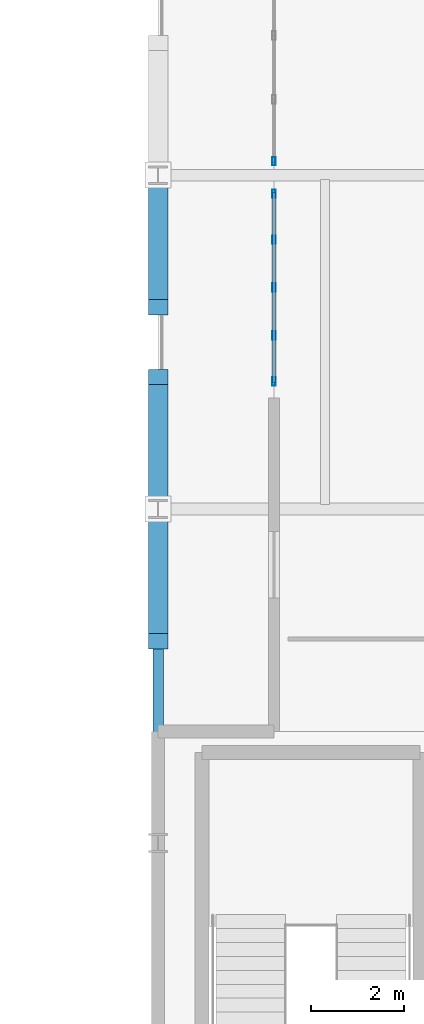
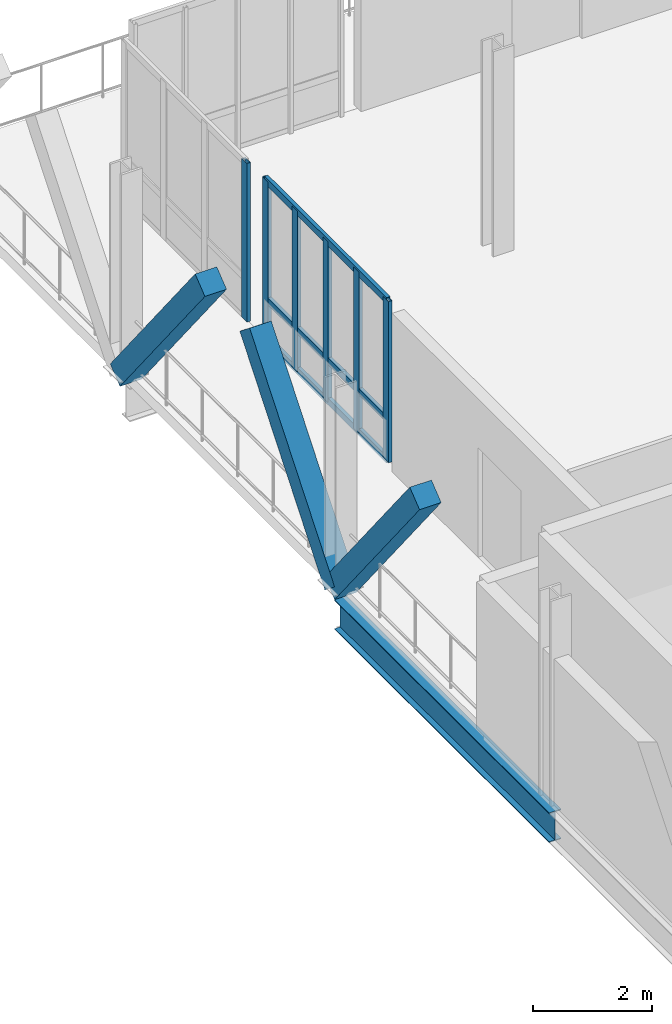
# One storey, part 34 of 102: 12 members, 1 beam, 2 elements without a shape of their own.
"""IFC4 building model written with IfcOpenShell, lengths in metres."""

from ifc_helpers import new_model, si_unit, direction, frame, origin, origin_2d, place, context, subcontext, project, spatial, rectangle, hollow_rectangle, i_section, extrude, material, material_profile, profile_set, type_object, element, aggregate, save


model = new_model("IFC4")

# Units and contexts
model_context = context("Model", 3, precision=1e-05, world=origin(), true_north=direction((0.0, 1.0)))
body_context = subcontext(model_context, "Body", "Model", "MODEL_VIEW")
ifc_project = project(units=[si_unit("LENGTHUNIT", "METRE"), si_unit("AREAUNIT", "SQUARE_METRE"), si_unit("VOLUMEUNIT", "CUBIC_METRE"), si_unit("PLANEANGLEUNIT", "RADIAN"), si_unit("MASSUNIT", "GRAM", prefix="KILO")], contexts=[model_context])

# Site, building, storey
site_placement = place(None, origin())
site = spatial("IfcSite", under=ifc_project, at=site_placement, CompositionType="ELEMENT")
building_placement = place(site_placement, origin())
building = spatial("IfcBuilding", under=site, at=building_placement, Name="Yarey Park Central Fire Station", CompositionType="ELEMENT")
storey_placement = place(building_placement, frame((0.0, 0.0, 6.0)))
storey = spatial("IfcBuildingStorey", under=building, at=storey_placement, Name="L02", CompositionType="ELEMENT", Elevation=6.0)

# Curtain wall, members
ifc_material_1 = material(Name="Anodized Aluminium Frame", Category="aluminium")
curtain_wall_type = type_object("IfcCurtainWallType", Name="ENV_CW_V3_GALW", PredefinedType="NOTDEFINED", material=ifc_material_1)
curtain_wall_1_placement = place(storey_placement, origin())
curtain_wall_1 = element("IfcCurtainWall", 1, at=curtain_wall_1_placement, inside=storey, type_object=curtain_wall_type, Name="CW_L02_V3_W_035", PredefinedType="NOTDEFINED")
ifc_material_profile_1 = material_profile(ifc_material_1, hollow_rectangle(XDim=0.070068359375, YDim=0.179931640625, WallThickness=0.00390625, at=origin_2d()), Name="ALU 180x70x4")
ifc_profile_set_1 = profile_set([ifc_material_profile_1], Name="Anodized Aluminium Frame")
member_type_1 = type_object("IfcMemberType", Name="ENV_CW_MULLION", PredefinedType="MULLION", material=ifc_profile_set_1)
member_1_placement = place(storey_placement, frame((31.300048828125, 74.75, 0.0), z_axis=(0.0, 0.0, 1.0), x_axis=(1.0, 0.0, 0.0)))
member_1 = element("IfcMember", 2, at=member_1_placement, type_object=member_type_1, Name="CW_L02_V3_W_035_MUL1", PredefinedType="MULLION", context=body_context, shape_type="SweptSolid", body=[
    extrude(hollow_rectangle(XDim=0.070068359375, YDim=0.179931640625, WallThickness=0.00390625, at=origin_2d()), origin(), (0.0, 0.0, 1.0), 3.300048828125),
])
member_2_placement = place(storey_placement, frame((31.300048828125, 75.742431640625, 0.0), z_axis=(0.0, 0.0, 1.0), x_axis=(1.0, 0.0, 0.0)))
member_2 = element("IfcMember", 3, at=member_2_placement, type_object=member_type_1, Name="CW_L02_V3_W_035_MUL2", PredefinedType="MULLION", context=body_context, shape_type="SweptSolid", body=[
    extrude(hollow_rectangle(XDim=0.070068359375, YDim=0.179931640625, WallThickness=0.00390625, at=origin_2d()), origin(), (0.0, 0.0, 1.0), 3.300048828125),
])
member_3_placement = place(storey_placement, frame((31.300048828125, 76.77490234375, 0.0), z_axis=(0.0, 0.0, 1.0), x_axis=(1.0, 0.0, 0.0)))
member_3 = element("IfcMember", 4, at=member_3_placement, type_object=member_type_1, Name="CW_L02_V3_W_035_MUL3", PredefinedType="MULLION", context=body_context, shape_type="SweptSolid", body=[
    extrude(hollow_rectangle(XDim=0.070068359375, YDim=0.179931640625, WallThickness=0.00390625, at=origin_2d()), origin(), (0.0, 0.0, 1.0), 3.300048828125),
])
member_4_placement = place(storey_placement, frame((31.300048828125, 77.8076171875, 0.0), z_axis=(0.0, 0.0, 1.0), x_axis=(1.0, 0.0, 0.0)))
member_4 = element("IfcMember", 5, at=member_4_placement, type_object=member_type_1, Name="CW_L02_V3_W_035_MUL4", PredefinedType="MULLION", context=body_context, shape_type="SweptSolid", body=[
    extrude(hollow_rectangle(XDim=0.070068359375, YDim=0.179931640625, WallThickness=0.00390625, at=origin_2d()), origin(), (0.0, 0.0, 1.0), 3.300048828125),
])
member_5_placement = place(storey_placement, frame((31.300048828125, 78.800048828125, 0.0), z_axis=(0.0, 0.0, 1.0), x_axis=(1.0, 0.0, 0.0)))
member_5 = element("IfcMember", 6, at=member_5_placement, type_object=member_type_1, Name="CW_L02_V3_W_035_MUL5", PredefinedType="MULLION", context=body_context, shape_type="SweptSolid", body=[
    extrude(hollow_rectangle(XDim=0.070068359375, YDim=0.179931640625, WallThickness=0.00390625, at=origin_2d()), origin(), (0.0, 0.0, 1.0), 3.300048828125),
])

# Curtain wall, member
curtain_wall_2_placement = place(storey_placement, origin())
curtain_wall_2 = element("IfcCurtainWall", 7, at=curtain_wall_2_placement, inside=storey, type_object=curtain_wall_type, Name="CW_L02_V3_W_036", PredefinedType="NOTDEFINED")
member_6_placement = place(storey_placement, frame((31.300048828125, 79.5, 0.0), z_axis=(0.0, 0.0, 1.0), x_axis=(1.0, 0.0, 0.0)))
member_6 = element("IfcMember", 8, at=member_6_placement, type_object=member_type_1, Name="CW_L02_V3_W_036_MUL1", PredefinedType="MULLION", context=body_context, shape_type="SweptSolid", body=[
    extrude(hollow_rectangle(XDim=0.070068359375, YDim=0.179931640625, WallThickness=0.00390625, at=origin_2d()), origin(), (0.0, 0.0, 1.0), 3.2470703125),
])
aggregate(curtain_wall_2, [member_6])

# Member
ifc_material_profile_2 = material_profile(ifc_material_1, hollow_rectangle(XDim=0.070068359375, YDim=0.139892578125, WallThickness=0.00390625, at=origin_2d()), Name="ALU 140x70x4")
ifc_profile_set_2 = profile_set([ifc_material_profile_2], Name="Anodized Aluminium Frame")
member_type_2 = type_object("IfcMemberType", Name="ENV_CW_TRANSOM", PredefinedType="USERDEFINED", material=ifc_profile_set_2)
member_7_placement = place(storey_placement, frame((31.300048828125, 74.72509765625, 0.02490234375), z_axis=(0.0, 1.0, 0.0), x_axis=(-1.0, 0.0, 0.0)))
member_7 = element("IfcMember", 9, at=member_7_placement, type_object=member_type_2, Name="CW_L02_V3_W_035_TRN1", ObjectType="TRANSOM", PredefinedType="USERDEFINED", context=body_context, shape_type="SweptSolid", body=[
    extrude(hollow_rectangle(XDim=0.070068359375, YDim=0.139892578125, WallThickness=0.00390625, at=origin_2d()), origin(), (0.0, 0.0, 1.0), 4.099853515625),
])

member_8_placement = place(storey_placement, frame((31.300048828125, 74.72509765625, 0.85009765625), z_axis=(0.0, 1.0, 0.0), x_axis=(-1.0, 0.0, 0.0)))
member_8 = element("IfcMember", 10, at=member_8_placement, type_object=member_type_2, Name="CW_L02_V3_W_035_TRN2", ObjectType="TRANSOM", PredefinedType="USERDEFINED", context=body_context, shape_type="SweptSolid", body=[
    extrude(hollow_rectangle(XDim=0.070068359375, YDim=0.139892578125, WallThickness=0.00390625, at=origin_2d()), origin(), (0.0, 0.0, 1.0), 4.099853515625),
])

member_9_placement = place(storey_placement, frame((31.300048828125, 74.72509765625, 3.27490234375), z_axis=(0.0, 1.0, 0.0), x_axis=(-1.0, 0.0, 0.0)))
member_9 = element("IfcMember", 11, at=member_9_placement, type_object=member_type_2, Name="CW_L02_V3_W_035_TRN3", ObjectType="TRANSOM", PredefinedType="USERDEFINED", context=body_context, shape_type="SweptSolid", body=[
    extrude(hollow_rectangle(XDim=0.070068359375, YDim=0.139892578125, WallThickness=0.00390625, at=origin_2d()), origin(), (0.0, 0.0, 1.0), 4.099853515625),
])

aggregate(curtain_wall_1, [member_1, member_2, member_3, member_4, member_5, member_7, member_8, member_9])

# Beam
ifc_material_2 = material(Name="Steel ASTM A992 Gr. 50", Category="steel")
ifc_material_profile_3 = material_profile(ifc_material_2, i_section(OverallWidth=0.22900390625, OverallDepth=0.612060546875, WebThickness=0.011962890625, FlangeThickness=0.01953125, at=origin_2d()), Name="W610x125")
ifc_profile_set_3 = profile_set([ifc_material_profile_3], Name="Steel ASTM A992 Gr. 50")
beam_type = type_object("IfcBeamType", Name="STR_BM_W610", PredefinedType="BEAM", material=ifc_profile_set_3)
beam_placement = place(storey_placement, frame((28.800048828125, 64.800048828125, -0.591064453125), z_axis=(0.0, 1.0, 0.0), x_axis=(-1.0, 0.0, 0.0)))
element("IfcBeam", 12, at=beam_placement, inside=storey, type_object=beam_type, Name="BMY L02 X288 Y648", PredefinedType="BEAM", context=body_context, shape_type="SweptSolid", body=[
    extrude(i_section(OverallWidth=0.22900390625, OverallDepth=0.612060546875, WebThickness=0.011962890625, FlangeThickness=0.01953125, at=origin_2d()), origin(), (0.0, 0.0, 1.0), 7.199951171875),
])

# Members
ifc_material_3 = material(Name="Glulam GL28h", Category="wood")
ifc_material_profile_4 = material_profile(ifc_material_3, rectangle(XDim=0.419921875, YDim=0.419921875, at=origin_2d()), Name="GL 420x420")
ifc_profile_set_4 = profile_set([ifc_material_profile_4], Name="Glulam GL28h")
member_type_3 = type_object("IfcMemberType", Name="STR_STRUT_GL420", PredefinedType="STRUT", material=ifc_profile_set_4)
for number, where, z_axis, x_axis, name in (
    (13, (28.800048828125, 72.0, -0.02001953125), (0.0, 0.623899588473, 0.781504512785), (-1.0, 0.0, 0.0), "Raked Glulam Strut RGS-21"),
    (14, (28.800048828125, 72.0, -0.02001953125), (0.0, -0.623899588473, 0.781504512785), (1.0, 0.0, 0.0), "Raked Glulam Strut RGS-22"),
    (15, (28.800048828125, 79.199951171875, -0.02001953125), (0.0, -0.623866946252, 0.781530570979), (1.0, 0.0, 0.0), "Raked Glulam Strut RGS-24"),
):
    element("IfcMember", number, at=place(storey_placement, frame(where, z_axis=z_axis, x_axis=x_axis)), inside=storey, type_object=member_type_3, Name=name, PredefinedType="STRUT", context=body_context, shape_type="SweptSolid", body=[
        extrude(rectangle(XDim=0.419921875, YDim=0.419921875, at=origin_2d()), origin(), (0.0, 0.0, 1.0), 4.568115234375),
    ])

save(model, "model.ifc")
